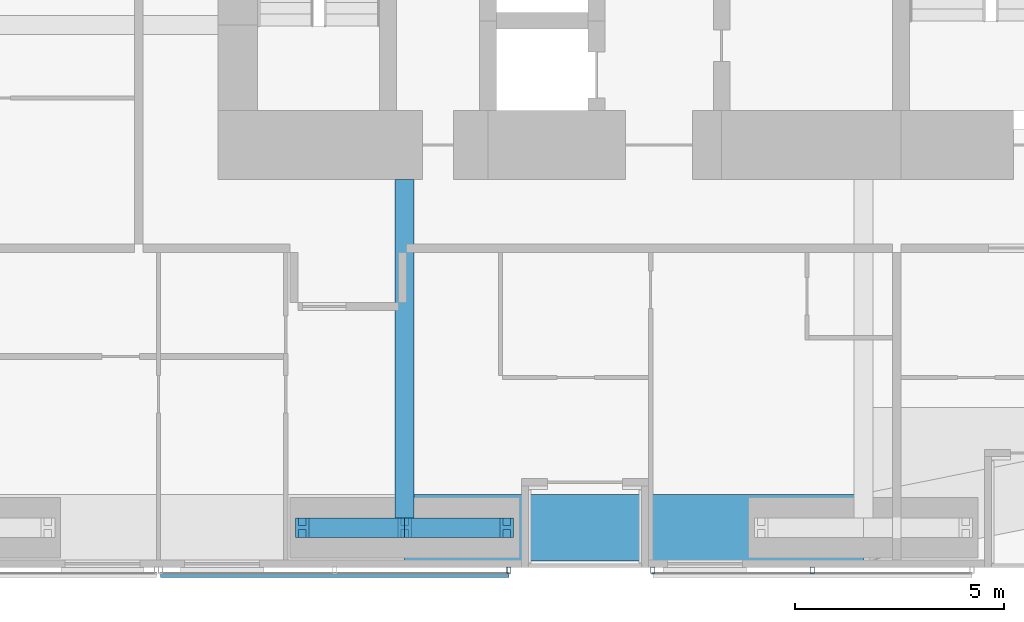
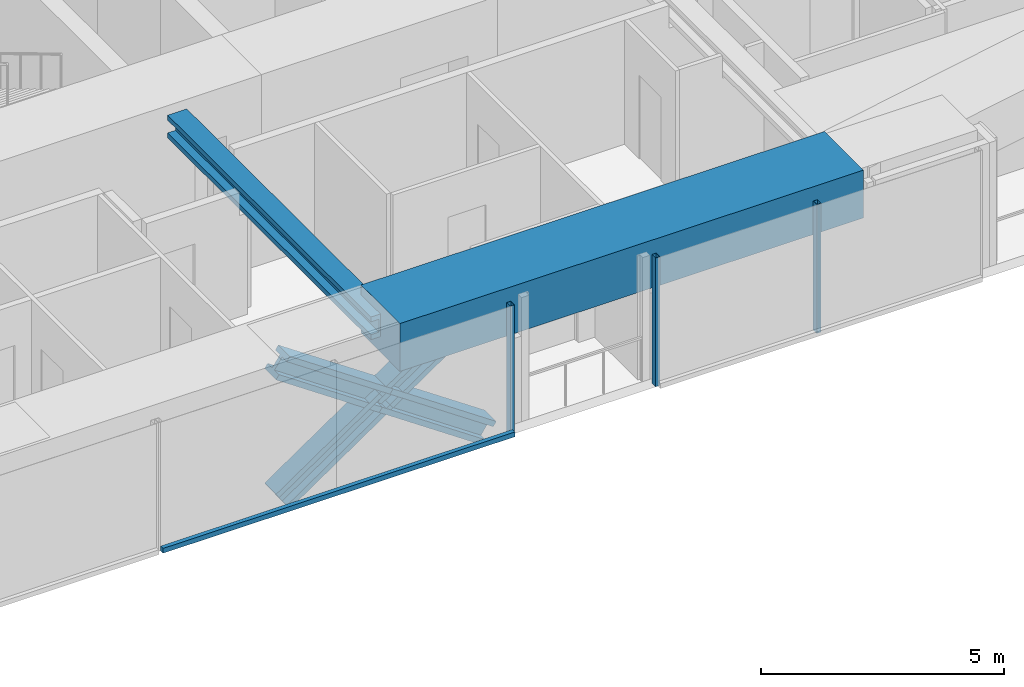
# One storey, part 5 of 24: 8 members, 2 beams, 2 elements without a shape of their own.
"""IFC4 building model written with IfcOpenShell, lengths in metres."""

from ifc_helpers import new_model, si_unit, direction, frame, origin, origin_2d, place, context, subcontext, project, spatial, rectangle, hollow_rectangle, i_section, extrude, material, material_profile, profile_set, type_object, element, aggregate, save


model = new_model("IFC4")

# Units and contexts
model_context = context("Model", 3, precision=1e-05, world=origin(), true_north=direction((0.0, 1.0)))
body_context = subcontext(model_context, "Body", "Model", "MODEL_VIEW")
ifc_project = project(units=[si_unit("LENGTHUNIT", "METRE"), si_unit("AREAUNIT", "SQUARE_METRE"), si_unit("VOLUMEUNIT", "CUBIC_METRE"), si_unit("PLANEANGLEUNIT", "RADIAN"), si_unit("MASSUNIT", "GRAM", prefix="KILO")], contexts=[model_context])

# Site, building, storey
site_placement = place(None, origin())
site = spatial("IfcSite", under=ifc_project, at=site_placement, CompositionType="ELEMENT")
building_placement = place(site_placement, origin())
building = spatial("IfcBuilding", under=site, at=building_placement, Name="Jalousie Tower", CompositionType="ELEMENT")
storey_placement = place(building_placement, frame((0.0, 0.0, 54.5)))
storey = spatial("IfcBuildingStorey", under=building, at=storey_placement, Name="L14", CompositionType="ELEMENT", Elevation=54.5)

# Beam
ifc_material_1 = material(Name="Steel ASTM A992 Grade 50", Category="steel")
ifc_material_profile_1 = material_profile(ifc_material_1, i_section(OverallWidth=0.45458984375, OverallDepth=0.569091796875, WebThickness=0.077880859375, FlangeThickness=0.124755859375, at=origin_2d()), Name="W14X730")
ifc_profile_set_1 = profile_set([ifc_material_profile_1], Name="Steel ASTM A992 Grade 50")
beam_type_1 = type_object("IfcBeamType", Name="LEAN COLLECTOR W14X730", PredefinedType="BEAM", material=ifc_profile_set_1)
beam_1_placement = place(storey_placement, frame((24.0, 0.949951171875, 2.825439453125), z_axis=(0.0, 1.0, 0.0), x_axis=(-1.0, 0.0, 0.0)))
element("IfcBeam", 1, at=beam_1_placement, inside=storey, type_object=beam_type_1, Name="Lean collector under L15", PredefinedType="BEAM", context=body_context, shape_type="SweptSolid", body=[
    extrude(i_section(OverallWidth=0.45458984375, OverallDepth=0.569091796875, WebThickness=0.077880859375, FlangeThickness=0.124755859375, at=origin_2d()), origin(), (0.0, 0.0, 1.0), 8.35009765625),
])

# Members
ifc_material_2 = material(Name="Steel ASTM A992 Grade 50", Category="steel")
ifc_material_profile_2 = material_profile(ifc_material_2, i_section(OverallWidth=0.472412109375, OverallDepth=0.5791015625, WebThickness=0.094970703125, FlangeThickness=0.1298828125, at=origin_2d()), Name="W14X808")
ifc_profile_set_2 = profile_set([ifc_material_profile_2], Name="Steel ASTM A992 Grade 50")
member_type_1 = type_object("IfcMemberType", Name="PERIMETER BRACE W14X808", PredefinedType="BRACE", material=ifc_profile_set_2)
for number, where, z_axis, x_axis, name in (
    (2, (21.550048828125, 0.949951171875, -0.60009765625), (0.825500916831, 0.0, 0.564400776321), (0.0, 1.0, 0.0), "Perimeter brace 03 L14 part 1"),
    (3, (24.0, 0.949951171875, 1.074951171875), (0.825500916831, 0.0, 0.564400776321), (0.0, 1.0, 0.0), "Perimeter brace 03 L14 part 2"),
    (4, (26.449951171875, 0.949951171875, -0.60009765625), (-0.825500916831, 0.0, 0.564400776321), (0.0, -1.0, 0.0), "Perimeter brace 03 L14 part 3"),
    (5, (24.0, 0.949951171875, 1.074951171875), (-0.825500916831, 0.0, 0.564400776321), (0.0, -1.0, 0.0), "Perimeter brace 03 L14 part 4"),
):
    element("IfcMember", number, at=place(storey_placement, frame(where, z_axis=z_axis, x_axis=x_axis)), inside=storey, type_object=member_type_1, Name=name, PredefinedType="BRACE", context=body_context, shape_type="SweptSolid", body=[
        extrude(i_section(OverallWidth=0.472412109375, OverallDepth=0.5791015625, WebThickness=0.094970703125, FlangeThickness=0.1298828125, at=origin_2d()), origin(), (0.0, 0.0, 1.0), 2.9677734375),
    ])

# Beam
ifc_material_3 = material(Name="Concrete f'c 40 MPa", Category="concrete")
ifc_material_profile_3 = material_profile(ifc_material_3, rectangle(XDim=1.60009765625, YDim=1.199951171875, at=origin_2d()), Name="RC 1600x1200")
ifc_profile_set_3 = profile_set([ifc_material_profile_3], Name="Concrete f'c 40 MPa")
beam_type_2 = type_object("IfcBeamType", Name="RC BEAM 1600x1200", PredefinedType="BEAM", material=ifc_profile_set_3)
beam_2_placement = place(storey_placement, frame((24.0, 0.949951171875, 2.75), z_axis=(1.0, 0.0, 0.0), x_axis=(0.0, 1.0, 0.0)))
element("IfcBeam", 6, at=beam_2_placement, inside=storey, type_object=beam_type_2, Name="Edge band beam 03-04 under L15", PredefinedType="BEAM", context=body_context, shape_type="SweptSolid", body=[
    extrude(rectangle(XDim=1.60009765625, YDim=1.199951171875, at=origin_2d()), origin(), (0.0, 0.0, 1.0), 11.0),
])

# Curtain wall, member
ifc_material_4 = material(Name="Perforated aluminium sheet", Category="aluminium")
curtain_wall_type = type_object("IfcCurtainWallType", Name="SOLAR SCREEN SS-1", PredefinedType="USERDEFINED", material=ifc_material_4)
curtain_wall_1_placement = place(storey_placement, origin())
curtain_wall_1 = element("IfcCurtainWall", 7, at=curtain_wall_1_placement, inside=storey, type_object=curtain_wall_type, Name="Solar screen L14", ObjectType="SOLAR SCREEN SS-1", PredefinedType="USERDEFINED")
ifc_material_5 = material(Name="Steel ASTM A500 Grade C", Category="steel")
ifc_material_profile_4 = material_profile(ifc_material_5, hollow_rectangle(XDim=0.1015625, YDim=0.15234375, WallThickness=0.00634765625, at=origin_2d()), Name="HSS6X4X1/4")
ifc_profile_set_4 = profile_set([ifc_material_profile_4], Name="Steel ASTM A500 Grade C")
member_type_2 = type_object("IfcMemberType", Name="SOLAR SCREEN SS-1 MULLION", PredefinedType="MULLION", material=ifc_profile_set_4)
member_1_placement = place(storey_placement, frame((26.5, -0.0712890625, -0.1201171875), z_axis=(0.0, 0.0, 1.0), x_axis=(1.0, 0.0, 0.0)))
member_1 = element("IfcMember", 8, at=member_1_placement, type_object=member_type_2, Name="SS1 post 3", PredefinedType="MULLION", context=body_context, shape_type="SweptSolid", body=[
    extrude(hollow_rectangle(XDim=0.1015625, YDim=0.15234375, WallThickness=0.00634765625, at=origin_2d()), origin(), (0.0, 0.0, 1.0), 3.230224609375),
])

# Curtain wall, members
curtain_wall_2_placement = place(storey_placement, origin())
curtain_wall_2 = element("IfcCurtainWall", 9, at=curtain_wall_2_placement, inside=storey, type_object=curtain_wall_type, Name="Solar screen L14", ObjectType="SOLAR SCREEN SS-1", PredefinedType="USERDEFINED")
member_2_placement = place(storey_placement, frame((29.949951171875, -0.0712890625, -0.1201171875), z_axis=(0.0, 0.0, 1.0), x_axis=(1.0, 0.0, 0.0)))
member_2 = element("IfcMember", 10, at=member_2_placement, type_object=member_type_2, Name="SS1 post 1", PredefinedType="MULLION", context=body_context, shape_type="SweptSolid", body=[
    extrude(hollow_rectangle(XDim=0.1015625, YDim=0.15234375, WallThickness=0.00634765625, at=origin_2d()), origin(), (0.0, 0.0, 1.0), 3.230224609375),
])
member_3_placement = place(storey_placement, frame((33.77490234375, -0.0712890625, -0.1201171875), z_axis=(0.0, 0.0, 1.0), x_axis=(1.0, 0.0, 0.0)))
member_3 = element("IfcMember", 11, at=member_3_placement, type_object=member_type_2, Name="SS1 post 2", PredefinedType="MULLION", context=body_context, shape_type="SweptSolid", body=[
    extrude(hollow_rectangle(XDim=0.1015625, YDim=0.15234375, WallThickness=0.00634765625, at=origin_2d()), origin(), (0.0, 0.0, 1.0), 3.230224609375),
])
aggregate(curtain_wall_2, [member_2, member_3])

# Member
ifc_material_6 = material(Name="Extruded aluminium screen rail", Category="aluminium")
ifc_material_profile_5 = material_profile(ifc_material_6, rectangle(XDim=0.1015625, YDim=0.1201171875, at=origin_2d()), Name="RAIL 102x120")
ifc_profile_set_5 = profile_set([ifc_material_profile_5], Name="Extruded aluminium screen rail")
member_type_3 = type_object("IfcMemberType", Name="SOLAR SCREEN SS-1 TRANSOM", PredefinedType="USERDEFINED", material=ifc_profile_set_5)
member_4_placement = place(storey_placement, frame((18.14990234375, -0.1982421875, -0.06005859375), z_axis=(1.0, 0.0, 0.0), x_axis=(0.0, 1.0, 0.0)))
member_4 = element("IfcMember", 12, at=member_4_placement, type_object=member_type_3, Name="SS1 rail", ObjectType="TRANSOM", PredefinedType="USERDEFINED", context=body_context, shape_type="SweptSolid", body=[
    extrude(rectangle(XDim=0.1015625, YDim=0.1201171875, at=origin_2d()), origin(), (0.0, 0.0, 1.0), 8.35009765625),
])

aggregate(curtain_wall_1, [member_1, member_4])

save(model, "model.ifc")
